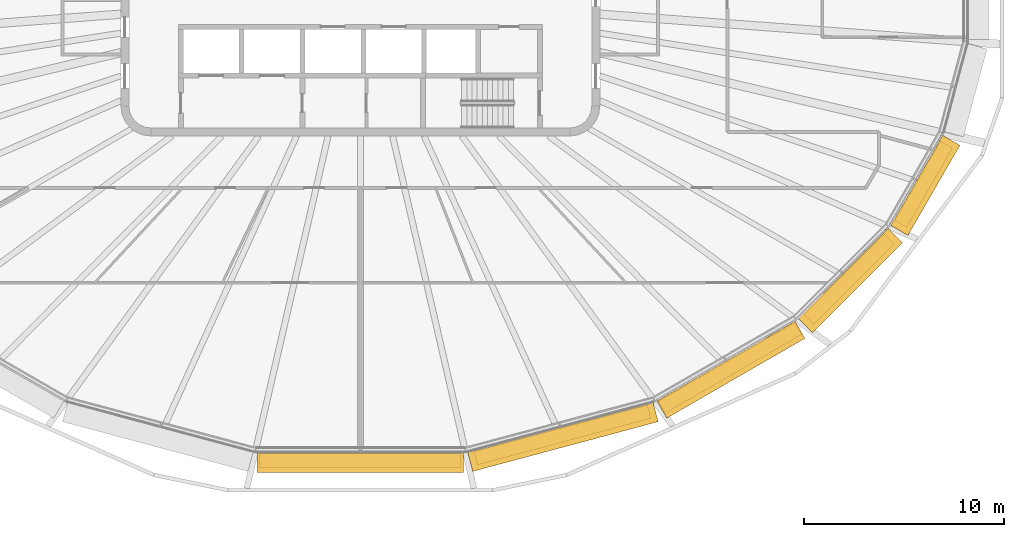
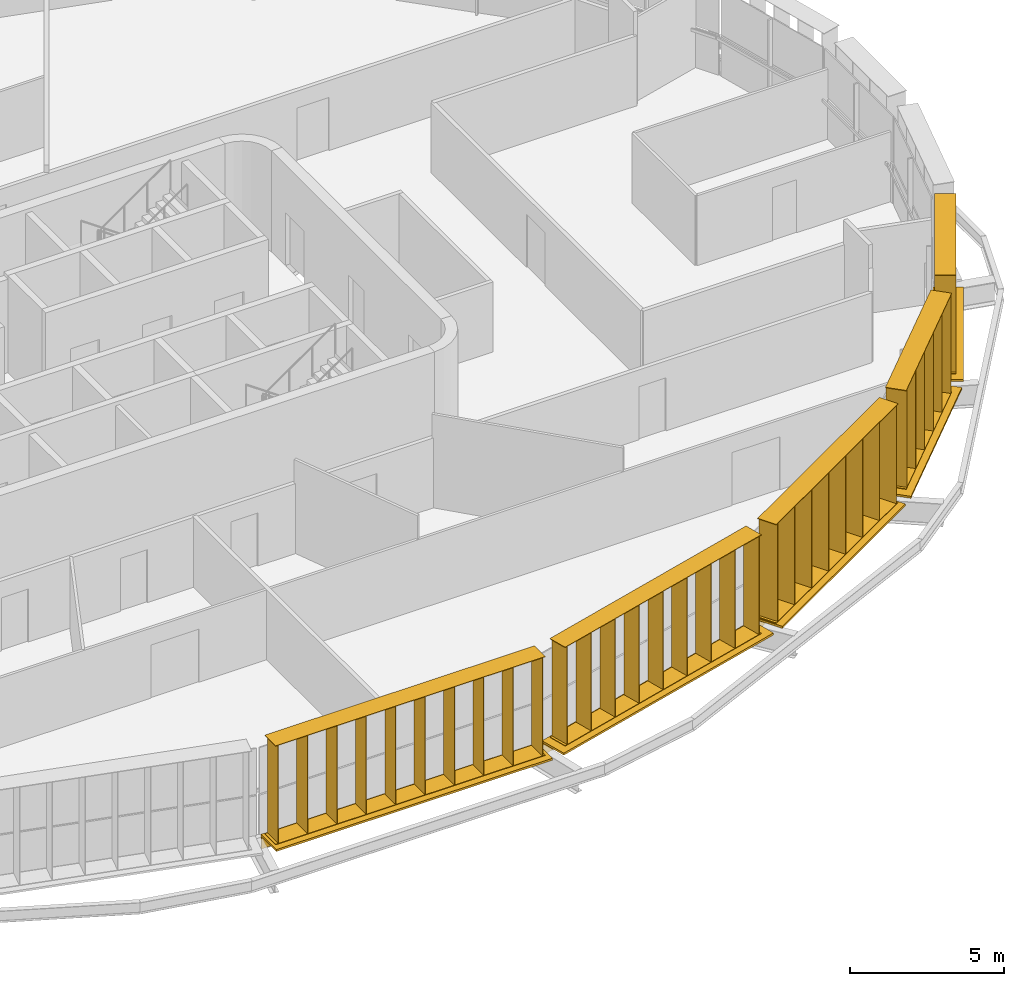
# One storey, part 17 of 20: 10 shading devices.
"""IFC4 building model written with IfcOpenShell, lengths in metres."""

from ifc_helpers import new_model, si_unit, direction, frame, origin, origin_2d, place, context, subcontext, project, spatial, rectangle, extrude, material, type_object, element, save


model = new_model("IFC4")

# Units and contexts
model_context = context("Model", 3, precision=1e-05, world=origin(), true_north=direction((0.0, 1.0)))
body_context = subcontext(model_context, "Body", "Model", "MODEL_VIEW")
ifc_project = project(units=[si_unit("LENGTHUNIT", "METRE"), si_unit("AREAUNIT", "SQUARE_METRE"), si_unit("VOLUMEUNIT", "CUBIC_METRE"), si_unit("PLANEANGLEUNIT", "RADIAN"), si_unit("MASSUNIT", "GRAM", prefix="KILO")], contexts=[model_context])

# Site, building, storey
site_placement = place(None, origin())
site = spatial("IfcSite", under=ifc_project, at=site_placement, CompositionType="ELEMENT")
building_placement = place(site_placement, origin())
building = spatial("IfcBuilding", under=site, at=building_placement, Name="Sahrelin Media Tower", CompositionType="ELEMENT")
storey_placement = place(building_placement, frame((0.0, 0.0, 237.60009765625)))
storey = spatial("IfcBuildingStorey", under=building, at=storey_placement, Name="L51", CompositionType="ELEMENT", Elevation=237.60009765625)

# Shading devices
ifc_material = material(Name="Champagne anodised aluminium 6063-T6", Category="aluminium")
shading_device_type_1 = type_object("IfcShadingDeviceType", Name="Fin cassette", PredefinedType="USERDEFINED", material=ifc_material)
placement_1 = place(storey_placement, frame((0.0, -22.85009765625, 0.0), z_axis=(0.0, 0.0, 1.0), x_axis=(-1.0, 0.0, 0.0)))
element("IfcShadingDevice", 1, at=placement_1, inside=storey, type_object=shading_device_type_1, Name="L51:FIN:L51-18", ObjectType="FIN", PredefinedType="USERDEFINED", context=body_context, shape_type="SweptSolid", body=[
    extrude(rectangle(XDim=10.10009765625, YDim=0.699951171875, at=origin_2d()), frame((0.0, 0.419921875, 0.0)), (0.0, 0.0, 1.0), 0.02001953125),
    extrude(rectangle(XDim=10.10009765625, YDim=0.699951171875, at=origin_2d()), frame((0.0, 0.419921875, 3.89990234375)), (0.0, 0.0, 1.0), 0.02001953125),
    extrude(rectangle(XDim=0.02001953125, YDim=0.699951171875, at=origin_2d()), frame((-4.949951171875, 0.419921875, 0.010009765625), z_axis=(0.0, 0.0, 1.0), x_axis=(1.0, 0.0, 0.0)), (0.0, 0.0, 1.0), 3.89990234375),
    extrude(rectangle(XDim=0.02001953125, YDim=0.699951171875, at=origin_2d()), frame((-3.85009765625, 0.419921875, 0.010009765625), z_axis=(0.0, 0.0, 1.0), x_axis=(1.0, 0.0, 0.0)), (0.0, 0.0, 1.0), 3.89990234375),
    extrude(rectangle(XDim=0.02001953125, YDim=0.699951171875, at=origin_2d()), frame((-2.75, 0.419921875, 0.010009765625), z_axis=(0.0, 0.0, 1.0), x_axis=(1.0, 0.0, 0.0)), (0.0, 0.0, 1.0), 3.89990234375),
    extrude(rectangle(XDim=0.02001953125, YDim=0.699951171875, at=origin_2d()), frame((-1.64990234375, 0.419921875, 0.010009765625), z_axis=(0.0, 0.0, 1.0), x_axis=(1.0, 0.0, 0.0)), (0.0, 0.0, 1.0), 3.89990234375),
    extrude(rectangle(XDim=0.02001953125, YDim=0.699951171875, at=origin_2d()), frame((-0.550048828125, 0.419921875, 0.010009765625), z_axis=(0.0, 0.0, 1.0), x_axis=(1.0, 0.0, 0.0)), (0.0, 0.0, 1.0), 3.89990234375),
    extrude(rectangle(XDim=0.02001953125, YDim=0.699951171875, at=origin_2d()), frame((0.550048828125, 0.419921875, 0.010009765625), z_axis=(0.0, 0.0, 1.0), x_axis=(1.0, 0.0, 0.0)), (0.0, 0.0, 1.0), 3.89990234375),
    extrude(rectangle(XDim=0.02001953125, YDim=0.699951171875, at=origin_2d()), frame((1.64990234375, 0.419921875, 0.010009765625), z_axis=(0.0, 0.0, 1.0), x_axis=(1.0, 0.0, 0.0)), (0.0, 0.0, 1.0), 3.89990234375),
    extrude(rectangle(XDim=0.02001953125, YDim=0.699951171875, at=origin_2d()), frame((2.75, 0.419921875, 0.010009765625), z_axis=(0.0, 0.0, 1.0), x_axis=(1.0, 0.0, 0.0)), (0.0, 0.0, 1.0), 3.89990234375),
    extrude(rectangle(XDim=0.02001953125, YDim=0.699951171875, at=origin_2d()), frame((3.85009765625, 0.419921875, 0.010009765625), z_axis=(0.0, 0.0, 1.0), x_axis=(1.0, 0.0, 0.0)), (0.0, 0.0, 1.0), 3.89990234375),
    extrude(rectangle(XDim=0.02001953125, YDim=0.699951171875, at=origin_2d()), frame((4.949951171875, 0.419921875, 0.010009765625), z_axis=(0.0, 0.0, 1.0), x_axis=(1.0, 0.0, 0.0)), (0.0, 0.0, 1.0), 3.89990234375),
])
placement_2 = place(storey_placement, frame((10.017578125, -21.57861328125, 0.0), z_axis=(0.0, 0.0, 1.0), x_axis=(-0.965928857556, -0.258807731996, 0.0)))
element("IfcShadingDevice", 2, at=placement_2, inside=storey, type_object=shading_device_type_1, Name="L51:FIN:L51-19", ObjectType="FIN", PredefinedType="USERDEFINED", context=body_context, shape_type="SweptSolid", body=[
    extrude(rectangle(XDim=9.0, YDim=0.699951171875, at=origin_2d()), frame((0.0, 0.419921875, 0.0)), (0.0, 0.0, 1.0), 0.02001953125),
    extrude(rectangle(XDim=9.0, YDim=0.699951171875, at=origin_2d()), frame((0.0, 0.419921875, 3.89990234375)), (0.0, 0.0, 1.0), 0.02001953125),
    extrude(rectangle(XDim=0.02001953125, YDim=0.699951171875, at=origin_2d()), frame((-4.39990234375, 0.419921875, 0.010009765625), z_axis=(0.0, 0.0, 1.0), x_axis=(1.0, 0.0, 0.0)), (0.0, 0.0, 1.0), 3.89990234375),
    extrude(rectangle(XDim=0.02001953125, YDim=0.699951171875, at=origin_2d()), frame((-3.300048828125, 0.419921875, 0.010009765625), z_axis=(0.0, 0.0, 1.0), x_axis=(1.0, 0.0, 0.0)), (0.0, 0.0, 1.0), 3.89990234375),
    extrude(rectangle(XDim=0.02001953125, YDim=0.699951171875, at=origin_2d()), frame((-2.199951171875, 0.419921875, 0.010009765625), z_axis=(0.0, 0.0, 1.0), x_axis=(1.0, 0.0, 0.0)), (0.0, 0.0, 1.0), 3.89990234375),
    extrude(rectangle(XDim=0.02001953125, YDim=0.699951171875, at=origin_2d()), frame((-1.10009765625, 0.419921875, 0.010009765625), z_axis=(0.0, 0.0, 1.0), x_axis=(1.0, 0.0, 0.0)), (0.0, 0.0, 1.0), 3.89990234375),
    extrude(rectangle(XDim=0.02001953125, YDim=0.699951171875, at=origin_2d()), frame((0.0, 0.419921875, 0.010009765625), z_axis=(0.0, 0.0, 1.0), x_axis=(1.0, 0.0, 0.0)), (0.0, 0.0, 1.0), 3.89990234375),
    extrude(rectangle(XDim=0.02001953125, YDim=0.699951171875, at=origin_2d()), frame((1.10009765625, 0.419921875, 0.010009765625), z_axis=(0.0, 0.0, 1.0), x_axis=(1.0, 0.0, 0.0)), (0.0, 0.0, 1.0), 3.89990234375),
    extrude(rectangle(XDim=0.02001953125, YDim=0.699951171875, at=origin_2d()), frame((2.199951171875, 0.419921875, 0.010009765625), z_axis=(0.0, 0.0, 1.0), x_axis=(1.0, 0.0, 0.0)), (0.0, 0.0, 1.0), 3.89990234375),
    extrude(rectangle(XDim=0.02001953125, YDim=0.699951171875, at=origin_2d()), frame((3.300048828125, 0.419921875, 0.010009765625), z_axis=(0.0, 0.0, 1.0), x_axis=(1.0, 0.0, 0.0)), (0.0, 0.0, 1.0), 3.89990234375),
    extrude(rectangle(XDim=0.02001953125, YDim=0.699951171875, at=origin_2d()), frame((4.39990234375, 0.419921875, 0.010009765625), z_axis=(0.0, 0.0, 1.0), x_axis=(1.0, 0.0, 0.0)), (0.0, 0.0, 1.0), 3.89990234375),
])
placement_3 = place(storey_placement, frame((18.3115234375, -18.258056640625, 0.0), z_axis=(0.0, 0.0, 1.0), x_axis=(-0.866019052629, -0.500011000363, 0.0)))
element("IfcShadingDevice", 3, at=placement_3, inside=storey, type_object=shading_device_type_1, Name="L51:FIN:L51-20", ObjectType="FIN", PredefinedType="USERDEFINED", context=body_context, shape_type="SweptSolid", body=[
    extrude(rectangle(XDim=7.89990234375, YDim=0.699951171875, at=origin_2d()), frame((0.0, 0.419921875, 0.0)), (0.0, 0.0, 1.0), 0.02001953125),
    extrude(rectangle(XDim=7.89990234375, YDim=0.699951171875, at=origin_2d()), frame((0.0, 0.419921875, 3.89990234375)), (0.0, 0.0, 1.0), 0.02001953125),
    extrude(rectangle(XDim=0.02001953125, YDim=0.699951171875, at=origin_2d()), frame((-3.85009765625, 0.419921875, 0.010009765625), z_axis=(0.0, 0.0, 1.0), x_axis=(1.0, 0.0, 0.0)), (0.0, 0.0, 1.0), 3.89990234375),
    extrude(rectangle(XDim=0.02001953125, YDim=0.699951171875, at=origin_2d()), frame((-2.75, 0.419921875, 0.010009765625), z_axis=(0.0, 0.0, 1.0), x_axis=(1.0, 0.0, 0.0)), (0.0, 0.0, 1.0), 3.89990234375),
    extrude(rectangle(XDim=0.02001953125, YDim=0.699951171875, at=origin_2d()), frame((-1.64990234375, 0.419921875, 0.010009765625), z_axis=(0.0, 0.0, 1.0), x_axis=(1.0, 0.0, 0.0)), (0.0, 0.0, 1.0), 3.89990234375),
    extrude(rectangle(XDim=0.02001953125, YDim=0.699951171875, at=origin_2d()), frame((-0.550048828125, 0.419921875, 0.010009765625), z_axis=(0.0, 0.0, 1.0), x_axis=(1.0, 0.0, 0.0)), (0.0, 0.0, 1.0), 3.89990234375),
    extrude(rectangle(XDim=0.02001953125, YDim=0.699951171875, at=origin_2d()), frame((0.550048828125, 0.419921875, 0.010009765625), z_axis=(0.0, 0.0, 1.0), x_axis=(1.0, 0.0, 0.0)), (0.0, 0.0, 1.0), 3.89990234375),
    extrude(rectangle(XDim=0.02001953125, YDim=0.699951171875, at=origin_2d()), frame((1.64990234375, 0.419921875, 0.010009765625), z_axis=(0.0, 0.0, 1.0), x_axis=(1.0, 0.0, 0.0)), (0.0, 0.0, 1.0), 3.89990234375),
    extrude(rectangle(XDim=0.02001953125, YDim=0.699951171875, at=origin_2d()), frame((2.75, 0.419921875, 0.010009765625), z_axis=(0.0, 0.0, 1.0), x_axis=(1.0, 0.0, 0.0)), (0.0, 0.0, 1.0), 3.89990234375),
    extrude(rectangle(XDim=0.02001953125, YDim=0.699951171875, at=origin_2d()), frame((3.85009765625, 0.419921875, 0.010009765625), z_axis=(0.0, 0.0, 1.0), x_axis=(1.0, 0.0, 0.0)), (0.0, 0.0, 1.0), 3.89990234375),
])
placement_4 = place(storey_placement, frame((24.1865234375, -13.883544921875, 0.0), z_axis=(0.0, 0.0, 1.0), x_axis=(-0.707106781187, -0.707106781187, 0.0)))
element("IfcShadingDevice", 4, at=placement_4, inside=storey, type_object=shading_device_type_1, Name="L51:FIN:L51-21", ObjectType="FIN", PredefinedType="USERDEFINED", context=body_context, shape_type="SweptSolid", body=[
    extrude(rectangle(XDim=5.699951171875, YDim=0.699951171875, at=origin_2d()), frame((0.0, 0.419921875, 0.0)), (0.0, 0.0, 1.0), 0.02001953125),
    extrude(rectangle(XDim=5.699951171875, YDim=0.699951171875, at=origin_2d()), frame((0.0, 0.419921875, 3.89990234375)), (0.0, 0.0, 1.0), 0.02001953125),
    extrude(rectangle(XDim=0.02001953125, YDim=0.699951171875, at=origin_2d()), frame((-2.75, 0.419921875, 0.010009765625), z_axis=(0.0, 0.0, 1.0), x_axis=(1.0, 0.0, 0.0)), (0.0, 0.0, 1.0), 3.89990234375),
    extrude(rectangle(XDim=0.02001953125, YDim=0.699951171875, at=origin_2d()), frame((-1.64990234375, 0.419921875, 0.010009765625), z_axis=(0.0, 0.0, 1.0), x_axis=(1.0, 0.0, 0.0)), (0.0, 0.0, 1.0), 3.89990234375),
    extrude(rectangle(XDim=0.02001953125, YDim=0.699951171875, at=origin_2d()), frame((-0.550048828125, 0.419921875, 0.010009765625), z_axis=(0.0, 0.0, 1.0), x_axis=(1.0, 0.0, 0.0)), (0.0, 0.0, 1.0), 3.89990234375),
    extrude(rectangle(XDim=0.02001953125, YDim=0.699951171875, at=origin_2d()), frame((0.550048828125, 0.419921875, 0.010009765625), z_axis=(0.0, 0.0, 1.0), x_axis=(1.0, 0.0, 0.0)), (0.0, 0.0, 1.0), 3.89990234375),
    extrude(rectangle(XDim=0.02001953125, YDim=0.699951171875, at=origin_2d()), frame((1.64990234375, 0.419921875, 0.010009765625), z_axis=(0.0, 0.0, 1.0), x_axis=(1.0, 0.0, 0.0)), (0.0, 0.0, 1.0), 3.89990234375),
    extrude(rectangle(XDim=0.02001953125, YDim=0.699951171875, at=origin_2d()), frame((2.75, 0.419921875, 0.010009765625), z_axis=(0.0, 0.0, 1.0), x_axis=(1.0, 0.0, 0.0)), (0.0, 0.0, 1.0), 3.89990234375),
])
placement_5 = place(storey_placement, frame((27.865234375, -9.214111328125, 0.0), z_axis=(0.0, 0.0, 1.0), x_axis=(-0.500011000363, -0.866019052629, 0.0)))
element("IfcShadingDevice", 5, at=placement_5, inside=storey, type_object=shading_device_type_1, Name="L51:FIN:L51-22", ObjectType="FIN", PredefinedType="USERDEFINED", context=body_context, shape_type="SweptSolid", body=[
    extrude(rectangle(XDim=4.60009765625, YDim=0.699951171875, at=origin_2d()), frame((0.0, 0.419921875, 0.0)), (0.0, 0.0, 1.0), 0.02001953125),
    extrude(rectangle(XDim=4.60009765625, YDim=0.699951171875, at=origin_2d()), frame((0.0, 0.419921875, 3.89990234375)), (0.0, 0.0, 1.0), 0.02001953125),
    extrude(rectangle(XDim=0.02001953125, YDim=0.699951171875, at=origin_2d()), frame((-2.199951171875, 0.419921875, 0.010009765625), z_axis=(0.0, 0.0, 1.0), x_axis=(1.0, 0.0, 0.0)), (0.0, 0.0, 1.0), 3.89990234375),
    extrude(rectangle(XDim=0.02001953125, YDim=0.699951171875, at=origin_2d()), frame((-1.10009765625, 0.419921875, 0.010009765625), z_axis=(0.0, 0.0, 1.0), x_axis=(1.0, 0.0, 0.0)), (0.0, 0.0, 1.0), 3.89990234375),
    extrude(rectangle(XDim=0.02001953125, YDim=0.699951171875, at=origin_2d()), frame((0.0, 0.419921875, 0.010009765625), z_axis=(0.0, 0.0, 1.0), x_axis=(1.0, 0.0, 0.0)), (0.0, 0.0, 1.0), 3.89990234375),
    extrude(rectangle(XDim=0.02001953125, YDim=0.699951171875, at=origin_2d()), frame((1.10009765625, 0.419921875, 0.010009765625), z_axis=(0.0, 0.0, 1.0), x_axis=(1.0, 0.0, 0.0)), (0.0, 0.0, 1.0), 3.89990234375),
    extrude(rectangle(XDim=0.02001953125, YDim=0.699951171875, at=origin_2d()), frame((2.199951171875, 0.419921875, 0.010009765625), z_axis=(0.0, 0.0, 1.0), x_axis=(1.0, 0.0, 0.0)), (0.0, 0.0, 1.0), 3.89990234375),
])
shading_device_type_2 = type_object("IfcShadingDeviceType", Name="Sunshade band", PredefinedType="USERDEFINED", material=ifc_material)
element("IfcShadingDevice", 6, at=placement_1, inside=storey, type_object=shading_device_type_2, Name="L51:SUN:L51-18", ObjectType="SUNSHADE", PredefinedType="USERDEFINED", context=body_context, shape_type="SweptSolid", body=[
    extrude(rectangle(XDim=10.3466796875, YDim=0.050048828125, at=origin_2d()), frame((0.0, 0.044921875, -0.55126953125)), (0.0, 0.0, 1.0), 0.471435546875),
    extrude(rectangle(XDim=10.3466796875, YDim=1.0, at=origin_2d()), frame((0.0, 0.52001953125, -0.080078125)), (0.0, 0.0, 1.0), 0.080078125),
    extrude(rectangle(XDim=0.10009765625, YDim=0.074951171875, at=origin_2d()), frame((-5.0732421875, -0.017578125, -0.47021484375)), (0.0, 0.0, 1.0), 0.300048828125),
    extrude(rectangle(XDim=0.10009765625, YDim=0.074951171875, at=origin_2d()), frame((-3.382080078125, -0.017578125, -0.47021484375)), (0.0, 0.0, 1.0), 0.300048828125),
    extrude(rectangle(XDim=0.10009765625, YDim=0.074951171875, at=origin_2d()), frame((-1.691162109375, -0.017578125, -0.47021484375)), (0.0, 0.0, 1.0), 0.300048828125),
    extrude(rectangle(XDim=0.10009765625, YDim=0.074951171875, at=origin_2d()), frame((0.0, -0.017578125, -0.47021484375)), (0.0, 0.0, 1.0), 0.300048828125),
    extrude(rectangle(XDim=0.10009765625, YDim=0.074951171875, at=origin_2d()), frame((1.691162109375, -0.017578125, -0.47021484375)), (0.0, 0.0, 1.0), 0.300048828125),
    extrude(rectangle(XDim=0.10009765625, YDim=0.074951171875, at=origin_2d()), frame((3.382080078125, -0.017578125, -0.47021484375)), (0.0, 0.0, 1.0), 0.300048828125),
    extrude(rectangle(XDim=0.10009765625, YDim=0.074951171875, at=origin_2d()), frame((5.0732421875, -0.017578125, -0.47021484375)), (0.0, 0.0, 1.0), 0.300048828125),
])
element("IfcShadingDevice", 7, at=placement_2, inside=storey, type_object=shading_device_type_2, Name="L51:SUN:L51-19", ObjectType="SUNSHADE", PredefinedType="USERDEFINED", context=body_context, shape_type="SweptSolid", body=[
    extrude(rectangle(XDim=9.623291015625, YDim=0.050048828125, at=origin_2d()), frame((0.0, 0.044921875, -0.55126953125)), (0.0, 0.0, 1.0), 0.471435546875),
    extrude(rectangle(XDim=9.623291015625, YDim=1.0, at=origin_2d()), frame((0.0, 0.52001953125, -0.080078125)), (0.0, 0.0, 1.0), 0.080078125),
    extrude(rectangle(XDim=0.10009765625, YDim=0.074951171875, at=origin_2d()), frame((-4.711669921875, -0.017578125, -0.47021484375)), (0.0, 0.0, 1.0), 0.300048828125),
    extrude(rectangle(XDim=0.10009765625, YDim=0.074951171875, at=origin_2d()), frame((-2.826904296875, -0.017578125, -0.47021484375)), (0.0, 0.0, 1.0), 0.300048828125),
    extrude(rectangle(XDim=0.10009765625, YDim=0.074951171875, at=origin_2d()), frame((-0.9423828125, -0.017578125, -0.47021484375)), (0.0, 0.0, 1.0), 0.300048828125),
    extrude(rectangle(XDim=0.10009765625, YDim=0.074951171875, at=origin_2d()), frame((0.9423828125, -0.017578125, -0.47021484375)), (0.0, 0.0, 1.0), 0.300048828125),
    extrude(rectangle(XDim=0.10009765625, YDim=0.074951171875, at=origin_2d()), frame((2.826904296875, -0.017578125, -0.47021484375)), (0.0, 0.0, 1.0), 0.300048828125),
    extrude(rectangle(XDim=0.10009765625, YDim=0.074951171875, at=origin_2d()), frame((4.711669921875, -0.017578125, -0.47021484375)), (0.0, 0.0, 1.0), 0.300048828125),
])
element("IfcShadingDevice", 8, at=placement_3, inside=storey, type_object=shading_device_type_2, Name="L51:SUN:L51-20", ObjectType="SUNSHADE", PredefinedType="USERDEFINED", context=body_context, shape_type="SweptSolid", body=[
    extrude(rectangle(XDim=7.997314453125, YDim=0.050048828125, at=origin_2d()), frame((0.0, 0.044921875, -0.55126953125)), (0.0, 0.0, 1.0), 0.471435546875),
    extrude(rectangle(XDim=7.997314453125, YDim=1.0, at=origin_2d()), frame((0.0, 0.52001953125, -0.080078125)), (0.0, 0.0, 1.0), 0.080078125),
    extrude(rectangle(XDim=0.10009765625, YDim=0.074951171875, at=origin_2d()), frame((-3.898681640625, -0.017578125, -0.47021484375)), (0.0, 0.0, 1.0), 0.300048828125),
    extrude(rectangle(XDim=0.10009765625, YDim=0.074951171875, at=origin_2d()), frame((-1.949462890625, -0.017578125, -0.47021484375)), (0.0, 0.0, 1.0), 0.300048828125),
    extrude(rectangle(XDim=0.10009765625, YDim=0.074951171875, at=origin_2d()), frame((0.0, -0.017578125, -0.47021484375)), (0.0, 0.0, 1.0), 0.300048828125),
    extrude(rectangle(XDim=0.10009765625, YDim=0.074951171875, at=origin_2d()), frame((1.949462890625, -0.017578125, -0.47021484375)), (0.0, 0.0, 1.0), 0.300048828125),
    extrude(rectangle(XDim=0.10009765625, YDim=0.074951171875, at=origin_2d()), frame((3.898681640625, -0.017578125, -0.47021484375)), (0.0, 0.0, 1.0), 0.300048828125),
])
element("IfcShadingDevice", 9, at=placement_4, inside=storey, type_object=shading_device_type_2, Name="L51:SUN:L51-21", ObjectType="SUNSHADE", PredefinedType="USERDEFINED", context=body_context, shape_type="SweptSolid", body=[
    extrude(rectangle(XDim=6.377197265625, YDim=0.050048828125, at=origin_2d()), frame((0.0, 0.044921875, -0.55126953125)), (0.0, 0.0, 1.0), 0.471435546875),
    extrude(rectangle(XDim=6.377197265625, YDim=1.0, at=origin_2d()), frame((0.0, 0.52001953125, -0.080078125)), (0.0, 0.0, 1.0), 0.080078125),
    extrude(rectangle(XDim=0.10009765625, YDim=0.074951171875, at=origin_2d()), frame((-3.08837890625, -0.017578125, -0.47021484375)), (0.0, 0.0, 1.0), 0.300048828125),
    extrude(rectangle(XDim=0.10009765625, YDim=0.074951171875, at=origin_2d()), frame((-1.544189453125, -0.017578125, -0.47021484375)), (0.0, 0.0, 1.0), 0.300048828125),
    extrude(rectangle(XDim=0.10009765625, YDim=0.074951171875, at=origin_2d()), frame((0.0, -0.017578125, -0.47021484375)), (0.0, 0.0, 1.0), 0.300048828125),
    extrude(rectangle(XDim=0.10009765625, YDim=0.074951171875, at=origin_2d()), frame((1.544189453125, -0.017578125, -0.47021484375)), (0.0, 0.0, 1.0), 0.300048828125),
    extrude(rectangle(XDim=0.10009765625, YDim=0.074951171875, at=origin_2d()), frame((3.08837890625, -0.017578125, -0.47021484375)), (0.0, 0.0, 1.0), 0.300048828125),
])
element("IfcShadingDevice", 10, at=placement_5, inside=storey, type_object=shading_device_type_2, Name="L51:SUN:L51-22", ObjectType="SUNSHADE", PredefinedType="USERDEFINED", context=body_context, shape_type="SweptSolid", body=[
    extrude(rectangle(XDim=5.21337890625, YDim=0.050048828125, at=origin_2d()), frame((0.0, 0.044921875, -0.55126953125)), (0.0, 0.0, 1.0), 0.471435546875),
    extrude(rectangle(XDim=5.21337890625, YDim=1.0, at=origin_2d()), frame((0.0, 0.52001953125, -0.080078125)), (0.0, 0.0, 1.0), 0.080078125),
    extrude(rectangle(XDim=0.10009765625, YDim=0.074951171875, at=origin_2d()), frame((-2.5068359375, -0.017578125, -0.47021484375)), (0.0, 0.0, 1.0), 0.300048828125),
    extrude(rectangle(XDim=0.10009765625, YDim=0.074951171875, at=origin_2d()), frame((-0.835693359375, -0.017578125, -0.47021484375)), (0.0, 0.0, 1.0), 0.300048828125),
    extrude(rectangle(XDim=0.10009765625, YDim=0.074951171875, at=origin_2d()), frame((0.835693359375, -0.017578125, -0.47021484375)), (0.0, 0.0, 1.0), 0.300048828125),
    extrude(rectangle(XDim=0.10009765625, YDim=0.074951171875, at=origin_2d()), frame((2.5068359375, -0.017578125, -0.47021484375)), (0.0, 0.0, 1.0), 0.300048828125),
])

save(model, "model.ifc")
